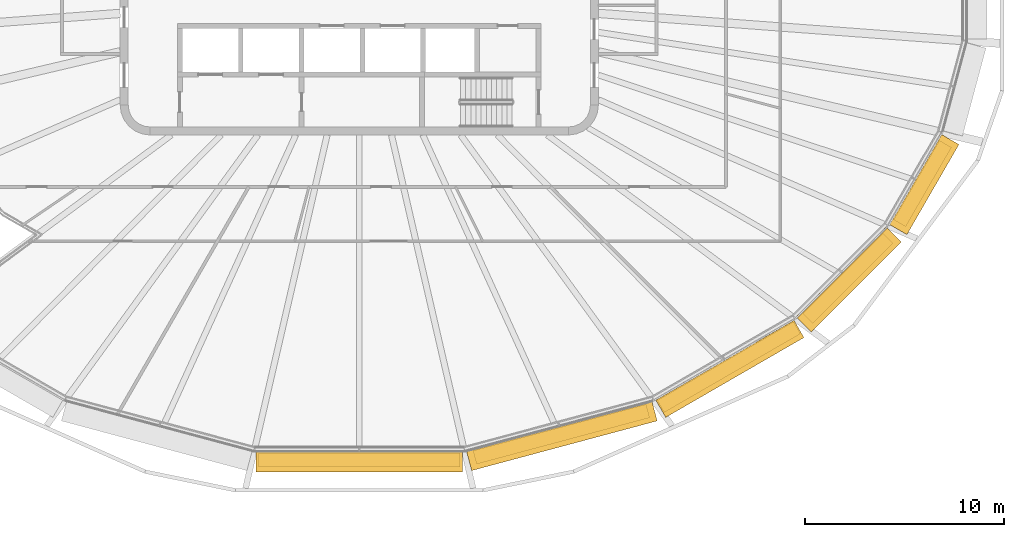
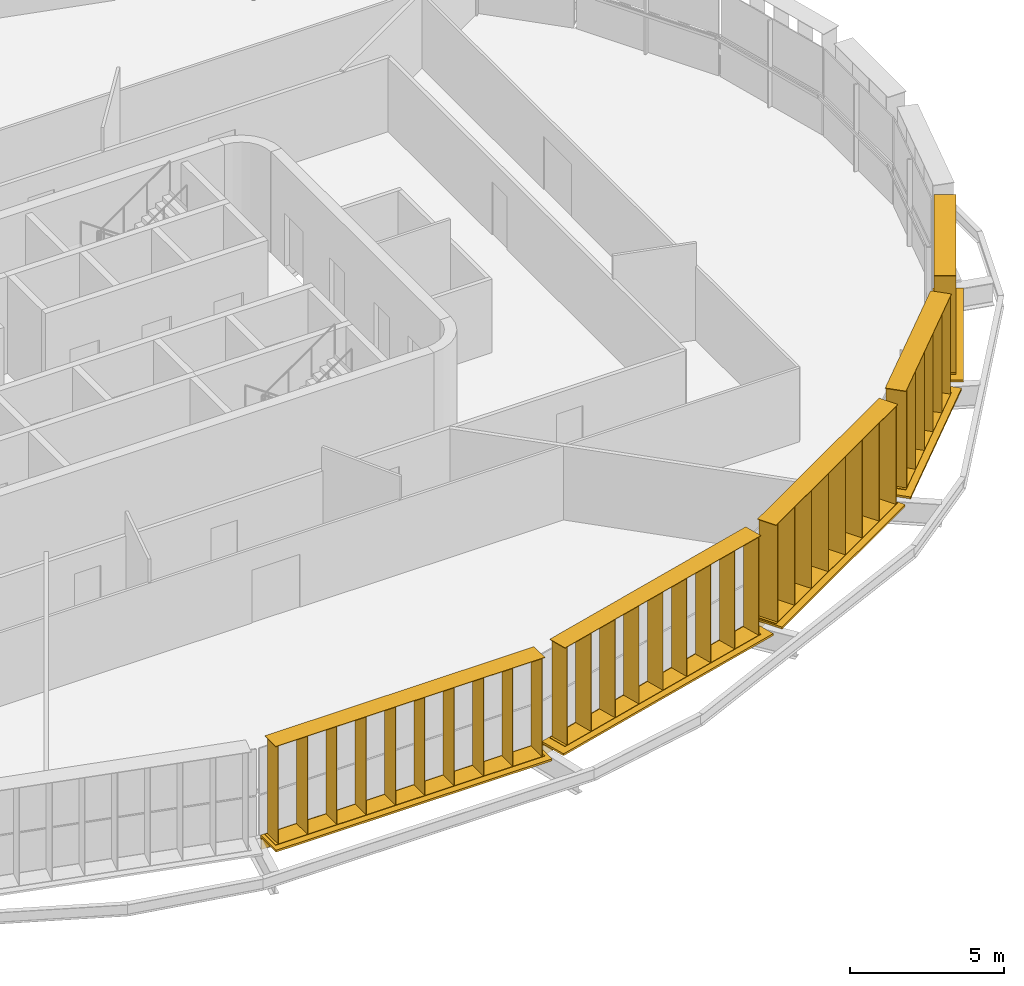
# One storey, part 17 of 19: 10 shading devices.
"""IFC4 building model written with IfcOpenShell, lengths in metres."""

import ifcopenshell
import ifcopenshell.guid

model = None  # the IFC model being written
_history = None  # IfcOwnerHistory: only IFC2X3 demands one
_inside = {}  # id of a spatial element -> (the spatial element, [elements in it])
_under = {}  # id of a project, library or spatial element -> (it, [spatial elements below it])
_declared = {}  # id of a project -> (the project, [libraries it declares])
_typed = {}  # id of a type object -> (the type object, [elements of that type])
_made_of = {}  # id of a material, layer set ... -> (it, [elements and type objects made of it])


def new_model(schema):
    """Start an empty IFC model of exactly this schema.

    Asked for "IFC4X3", IfcOpenShell would pick the latest addendum, in which some entities
    have other attributes; the version numbers below select the first issue.
    IFC2X3 requires an IfcOwnerHistory on every rooted entity: one is made here for all.
    """
    global model, _history
    if schema == "IFC4X3":
        model = ifcopenshell.file(schema_version=(4, 3, 0, 0))
    else:
        model = ifcopenshell.file(schema=schema)
    _inside.clear()
    _under.clear()
    _declared.clear()
    _typed.clear()
    _made_of.clear()
    _history = None
    if model.schema == "IFC2X3":
        org = make("IfcOrganization", Name="unknown")
        user = make(
            "IfcPersonAndOrganization",
            ThePerson=make("IfcPerson", FamilyName="unknown"),
            TheOrganization=org,
        )
        app = make(
            "IfcApplication",
            ApplicationDeveloper=org,
            Version="unknown",
            ApplicationFullName="unknown",
            ApplicationIdentifier="unknown",
        )
        _history = make(
            "IfcOwnerHistory",
            OwningUser=user,
            OwningApplication=app,
            ChangeAction="ADDED",
            CreationDate=0,
        )
    return model


def make(cls, **values):
    """One entity of the class cls with the attributes given. An attribute that is None is left unset."""
    return model.create_entity(
        cls, **{name: value for name, value in values.items() if value is not None}
    )


def rooted(cls, **values):
    """An entity with a GlobalId (a new one), such as an element, a storey or a relation."""
    return make(cls, GlobalId=ifcopenshell.guid.new(), OwnerHistory=_history, **values)


def si_unit(unit_type, name, prefix=None):
    """IfcSIUnit, for example si_unit("LENGTHUNIT", "METRE", prefix="MILLI")."""
    return make("IfcSIUnit", UnitType=unit_type, Prefix=prefix, Name=name)


def assignment(units):
    """IfcUnitAssignment: the units of a project."""
    return None if units is None else make("IfcUnitAssignment", Units=units)


def point(xyz):
    """IfcCartesianPoint."""
    return None if xyz is None else make("IfcCartesianPoint", Coordinates=xyz)


def direction(xyz):
    """IfcDirection."""
    return None if xyz is None else make("IfcDirection", DirectionRatios=xyz)


def frame(location, z_axis=None, x_axis=None):
    """IfcAxis2Placement3D, a coordinate frame: its origin and axes. An axis left out is left unset."""
    return make(
        "IfcAxis2Placement3D",
        Location=point(location),
        Axis=direction(z_axis),
        RefDirection=direction(x_axis),
    )


def frame_2d(location, x_axis=None):
    """IfcAxis2Placement2D, a coordinate frame in the plane: its origin and x axis."""
    return make(
        "IfcAxis2Placement2D", Location=point(location), RefDirection=direction(x_axis)
    )


def origin():
    """The frame at (0, 0, 0) with its axes left unset."""
    return frame((0.0, 0.0, 0.0))


def origin_2d():
    """The frame at (0, 0) in the plane with its x axis left unset."""
    return frame_2d((0.0, 0.0))


def place(relative_to, where):
    """IfcLocalPlacement: puts the frame where relative to a parent placement (None: the world)."""
    return make(
        "IfcLocalPlacement", PlacementRelTo=relative_to, RelativePlacement=where
    )


def context(
    kind, dimensions, precision=None, world=None, true_north=None, identifier=None
):
    """IfcGeometricRepresentationContext, for example the 3D "Model" context."""
    return make(
        "IfcGeometricRepresentationContext",
        ContextIdentifier=identifier,
        ContextType=kind,
        CoordinateSpaceDimension=dimensions,
        Precision=precision,
        WorldCoordinateSystem=world,
        TrueNorth=true_north,
    )


def subcontext(parent, identifier, kind, view, scale=None):
    """IfcGeometricRepresentationSubContext, for example "Body" below "Model"."""
    return make(
        "IfcGeometricRepresentationSubContext",
        ContextIdentifier=identifier,
        ContextType=kind,
        ParentContext=parent,
        TargetScale=scale,
        TargetView=view,
    )


def project(units=None, contexts=None):
    """IfcProject with its units and contexts."""
    return rooted(
        "IfcProject",
        Name="project",
        RepresentationContexts=contexts,
        UnitsInContext=assignment(units),
    )


def spatial(cls, under=None, at=None, **own):
    """A site, building, storey or space (cls), placed at a placement, below another one or the project."""
    s = rooted(cls, ObjectPlacement=at, **own)
    if under is not None:
        _under.setdefault(under.id(), (under, []))[1].append(s)
    return s


def profile(cls, at=None, kind="AREA", **sizes):
    """A parametric profile (cls). Its sizes go by their IFC names, for example OverallWidth=200.0."""
    return make(cls, ProfileType=kind, Position=at, **sizes)


def rectangle(**sizes):
    """IfcRectangleProfileDef."""
    return profile("IfcRectangleProfileDef", **sizes)


def extrude(swept, where, along, depth):
    """IfcExtrudedAreaSolid: the profile swept, set in the frame where, extruded along a direction by depth."""
    return make(
        "IfcExtrudedAreaSolid",
        SweptArea=swept,
        Position=where,
        ExtrudedDirection=direction(along),
        Depth=depth,
    )


def shape(context_of_items, identifier, shape_type, items):
    """IfcShapeRepresentation: the items that make up one representation, for example the "Body"."""
    return make(
        "IfcShapeRepresentation",
        ContextOfItems=context_of_items,
        RepresentationIdentifier=identifier,
        RepresentationType=shape_type,
        Items=items,
    )


def material(Name=None, Category=None):
    """IfcMaterial."""
    return make("IfcMaterial", Name=Name, Category=Category)


def made_of(thing, what):
    """Note that an element or type object is made of a material, layer set ...; save() writes the relation."""
    if what is not None:
        _made_of.setdefault(what.id(), (what, []))[1].append(thing)
    return thing


def type_object(cls, material=None, **own):
    """A type object (cls), such as IfcWallType, which elements share."""
    return made_of(rooted(cls, **own), material)


def element(
    cls,
    number,
    at=None,
    inside=None,
    cuts=None,
    type_object=None,
    material=None,
    context=None,
    identifier="Body",
    shape_type=None,
    held_by="IfcProductDefinitionShape",
    body=None,
    shapes=None,
    **own,
):
    """One element of the class cls, such as IfcWall. Its Tag is "e" and its number.

    at: its placement. inside: the storey or other place that contains it. cuts: it is an
    opening in that element (IfcRelVoidsElement). A single representation is given by context,
    identifier, shape_type and body (its items); several are given by shapes. held_by: the class
    of the entity that holds the representations. save() writes the other relations.
    """
    e = rooted(cls, Tag="e%d" % number, ObjectPlacement=at, **own)
    if body is not None:
        shapes = [shape(context, identifier, shape_type, body)]
    if shapes is not None:
        e.Representation = make(held_by, Representations=shapes)
    if inside is not None:
        _inside.setdefault(inside.id(), (inside, []))[1].append(e)
    if cuts is not None:
        rooted(
            "IfcRelVoidsElement", RelatingBuildingElement=cuts, RelatedOpeningElement=e
        )
    if type_object is not None:
        _typed.setdefault(type_object.id(), (type_object, []))[1].append(e)
    return made_of(e, material)


def aggregate(whole, parts):
    """IfcRelAggregates: a whole, such as a stair, and the parts it consists of."""
    return rooted("IfcRelAggregates", RelatingObject=whole, RelatedObjects=parts)


def save(model, path):
    """Write the relations noted so far, then the file.

    IfcRelAggregates (storeys below a building ...), IfcRelContainedInSpatialStructure (elements
    in a storey), IfcRelDefinesByType, IfcRelAssociatesMaterial and IfcRelDeclares: one each for
    every whole, place, type object, material and project.
    """
    for whole, parts in _under.values():
        aggregate(whole, parts)
    for where, things in _inside.values():
        rooted(
            "IfcRelContainedInSpatialStructure",
            RelatedElements=things,
            RelatingStructure=where,
        )
    for kind, things in _typed.values():
        rooted("IfcRelDefinesByType", RelatedObjects=things, RelatingType=kind)
    for what, things in _made_of.values():
        rooted("IfcRelAssociatesMaterial", RelatedObjects=things, RelatingMaterial=what)
    for by, libraries in _declared.values():
        rooted("IfcRelDeclares", RelatingContext=by, RelatedDefinitions=libraries)
    model.write(path)


model = new_model("IFC4")

# Units and contexts
model_context = context("Model", 3, precision=1e-05, world=origin(), true_north=direction((0.0, 1.0)))
body_context = subcontext(model_context, "Body", "Model", "MODEL_VIEW")
ifc_project = project(units=[si_unit("LENGTHUNIT", "METRE"), si_unit("AREAUNIT", "SQUARE_METRE"), si_unit("VOLUMEUNIT", "CUBIC_METRE"), si_unit("PLANEANGLEUNIT", "RADIAN"), si_unit("MASSUNIT", "GRAM", prefix="KILO")], contexts=[model_context])

# Site, building, storey
site_placement = place(None, origin())
site = spatial("IfcSite", under=ifc_project, at=site_placement, CompositionType="ELEMENT")
building_placement = place(site_placement, origin())
building = spatial("IfcBuilding", under=site, at=building_placement, Name="Sahrelin Media Tower", CompositionType="ELEMENT")
storey_placement = place(building_placement, frame((0.0, 0.0, 229.60009765625)))
storey = spatial("IfcBuildingStorey", under=building, at=storey_placement, Name="L49", CompositionType="ELEMENT", Elevation=229.60009765625)

# Shading devices
ifc_material = material(Name="Champagne anodised aluminium 6063-T6", Category="aluminium")
shading_device_type_1 = type_object("IfcShadingDeviceType", Name="Fin cassette", PredefinedType="USERDEFINED", material=ifc_material)
placement_1 = place(storey_placement, frame((0.0, -22.884033203125, 0.0), z_axis=(0.0, 0.0, 1.0), x_axis=(-1.0, 0.0, 0.0)))
element("IfcShadingDevice", 1, at=placement_1, inside=storey, type_object=shading_device_type_1, Name="L49:FIN:L49-18", ObjectType="FIN", PredefinedType="USERDEFINED", context=body_context, shape_type="SweptSolid", body=[
    extrude(rectangle(XDim=10.10009765625, YDim=0.699951171875, at=origin_2d()), frame((0.0, 0.419921875, 0.0)), (0.0, 0.0, 1.0), 0.02001953125),
    extrude(rectangle(XDim=10.10009765625, YDim=0.699951171875, at=origin_2d()), frame((0.0, 0.419921875, 3.89990234375)), (0.0, 0.0, 1.0), 0.02001953125),
    extrude(rectangle(XDim=0.02001953125, YDim=0.699951171875, at=origin_2d()), frame((-4.949951171875, 0.419921875, 0.010009765625), z_axis=(0.0, 0.0, 1.0), x_axis=(1.0, 0.0, 0.0)), (0.0, 0.0, 1.0), 3.89990234375),
    extrude(rectangle(XDim=0.02001953125, YDim=0.699951171875, at=origin_2d()), frame((-3.85009765625, 0.419921875, 0.010009765625), z_axis=(0.0, 0.0, 1.0), x_axis=(1.0, 0.0, 0.0)), (0.0, 0.0, 1.0), 3.89990234375),
    extrude(rectangle(XDim=0.02001953125, YDim=0.699951171875, at=origin_2d()), frame((-2.75, 0.419921875, 0.010009765625), z_axis=(0.0, 0.0, 1.0), x_axis=(1.0, 0.0, 0.0)), (0.0, 0.0, 1.0), 3.89990234375),
    extrude(rectangle(XDim=0.02001953125, YDim=0.699951171875, at=origin_2d()), frame((-1.64990234375, 0.419921875, 0.010009765625), z_axis=(0.0, 0.0, 1.0), x_axis=(1.0, 0.0, 0.0)), (0.0, 0.0, 1.0), 3.89990234375),
    extrude(rectangle(XDim=0.02001953125, YDim=0.699951171875, at=origin_2d()), frame((-0.550048828125, 0.419921875, 0.010009765625), z_axis=(0.0, 0.0, 1.0), x_axis=(1.0, 0.0, 0.0)), (0.0, 0.0, 1.0), 3.89990234375),
    extrude(rectangle(XDim=0.02001953125, YDim=0.699951171875, at=origin_2d()), frame((0.550048828125, 0.419921875, 0.010009765625), z_axis=(0.0, 0.0, 1.0), x_axis=(1.0, 0.0, 0.0)), (0.0, 0.0, 1.0), 3.89990234375),
    extrude(rectangle(XDim=0.02001953125, YDim=0.699951171875, at=origin_2d()), frame((1.64990234375, 0.419921875, 0.010009765625), z_axis=(0.0, 0.0, 1.0), x_axis=(1.0, 0.0, 0.0)), (0.0, 0.0, 1.0), 3.89990234375),
    extrude(rectangle(XDim=0.02001953125, YDim=0.699951171875, at=origin_2d()), frame((2.75, 0.419921875, 0.010009765625), z_axis=(0.0, 0.0, 1.0), x_axis=(1.0, 0.0, 0.0)), (0.0, 0.0, 1.0), 3.89990234375),
    extrude(rectangle(XDim=0.02001953125, YDim=0.699951171875, at=origin_2d()), frame((3.85009765625, 0.419921875, 0.010009765625), z_axis=(0.0, 0.0, 1.0), x_axis=(1.0, 0.0, 0.0)), (0.0, 0.0, 1.0), 3.89990234375),
    extrude(rectangle(XDim=0.02001953125, YDim=0.699951171875, at=origin_2d()), frame((4.949951171875, 0.419921875, 0.010009765625), z_axis=(0.0, 0.0, 1.0), x_axis=(1.0, 0.0, 0.0)), (0.0, 0.0, 1.0), 3.89990234375),
])
placement_2 = place(storey_placement, frame((10.031982421875, -21.611083984375, 0.0), z_axis=(0.0, 0.0, 1.0), x_axis=(-0.965928857556, -0.258807731996, 0.0)))
element("IfcShadingDevice", 2, at=placement_2, inside=storey, type_object=shading_device_type_1, Name="L49:FIN:L49-19", ObjectType="FIN", PredefinedType="USERDEFINED", context=body_context, shape_type="SweptSolid", body=[
    extrude(rectangle(XDim=9.0, YDim=0.699951171875, at=origin_2d()), frame((0.0, 0.419921875, 0.0)), (0.0, 0.0, 1.0), 0.02001953125),
    extrude(rectangle(XDim=9.0, YDim=0.699951171875, at=origin_2d()), frame((0.0, 0.419921875, 3.89990234375)), (0.0, 0.0, 1.0), 0.02001953125),
    extrude(rectangle(XDim=0.02001953125, YDim=0.699951171875, at=origin_2d()), frame((-4.39990234375, 0.419921875, 0.010009765625), z_axis=(0.0, 0.0, 1.0), x_axis=(1.0, 0.0, 0.0)), (0.0, 0.0, 1.0), 3.89990234375),
    extrude(rectangle(XDim=0.02001953125, YDim=0.699951171875, at=origin_2d()), frame((-3.300048828125, 0.419921875, 0.010009765625), z_axis=(0.0, 0.0, 1.0), x_axis=(1.0, 0.0, 0.0)), (0.0, 0.0, 1.0), 3.89990234375),
    extrude(rectangle(XDim=0.02001953125, YDim=0.699951171875, at=origin_2d()), frame((-2.199951171875, 0.419921875, 0.010009765625), z_axis=(0.0, 0.0, 1.0), x_axis=(1.0, 0.0, 0.0)), (0.0, 0.0, 1.0), 3.89990234375),
    extrude(rectangle(XDim=0.02001953125, YDim=0.699951171875, at=origin_2d()), frame((-1.10009765625, 0.419921875, 0.010009765625), z_axis=(0.0, 0.0, 1.0), x_axis=(1.0, 0.0, 0.0)), (0.0, 0.0, 1.0), 3.89990234375),
    extrude(rectangle(XDim=0.02001953125, YDim=0.699951171875, at=origin_2d()), frame((0.0, 0.419921875, 0.010009765625), z_axis=(0.0, 0.0, 1.0), x_axis=(1.0, 0.0, 0.0)), (0.0, 0.0, 1.0), 3.89990234375),
    extrude(rectangle(XDim=0.02001953125, YDim=0.699951171875, at=origin_2d()), frame((1.10009765625, 0.419921875, 0.010009765625), z_axis=(0.0, 0.0, 1.0), x_axis=(1.0, 0.0, 0.0)), (0.0, 0.0, 1.0), 3.89990234375),
    extrude(rectangle(XDim=0.02001953125, YDim=0.699951171875, at=origin_2d()), frame((2.199951171875, 0.419921875, 0.010009765625), z_axis=(0.0, 0.0, 1.0), x_axis=(1.0, 0.0, 0.0)), (0.0, 0.0, 1.0), 3.89990234375),
    extrude(rectangle(XDim=0.02001953125, YDim=0.699951171875, at=origin_2d()), frame((3.300048828125, 0.419921875, 0.010009765625), z_axis=(0.0, 0.0, 1.0), x_axis=(1.0, 0.0, 0.0)), (0.0, 0.0, 1.0), 3.89990234375),
    extrude(rectangle(XDim=0.02001953125, YDim=0.699951171875, at=origin_2d()), frame((4.39990234375, 0.419921875, 0.010009765625), z_axis=(0.0, 0.0, 1.0), x_axis=(1.0, 0.0, 0.0)), (0.0, 0.0, 1.0), 3.89990234375),
])
placement_3 = place(storey_placement, frame((18.337646484375, -18.285400390625, 0.0), z_axis=(0.0, 0.0, 1.0), x_axis=(-0.866019052629, -0.500011000363, 0.0)))
element("IfcShadingDevice", 3, at=placement_3, inside=storey, type_object=shading_device_type_1, Name="L49:FIN:L49-20", ObjectType="FIN", PredefinedType="USERDEFINED", context=body_context, shape_type="SweptSolid", body=[
    extrude(rectangle(XDim=7.89990234375, YDim=0.699951171875, at=origin_2d()), frame((0.0, 0.419921875, 0.0)), (0.0, 0.0, 1.0), 0.02001953125),
    extrude(rectangle(XDim=7.89990234375, YDim=0.699951171875, at=origin_2d()), frame((0.0, 0.419921875, 3.89990234375)), (0.0, 0.0, 1.0), 0.02001953125),
    extrude(rectangle(XDim=0.02001953125, YDim=0.699951171875, at=origin_2d()), frame((-3.85009765625, 0.419921875, 0.010009765625), z_axis=(0.0, 0.0, 1.0), x_axis=(1.0, 0.0, 0.0)), (0.0, 0.0, 1.0), 3.89990234375),
    extrude(rectangle(XDim=0.02001953125, YDim=0.699951171875, at=origin_2d()), frame((-2.75, 0.419921875, 0.010009765625), z_axis=(0.0, 0.0, 1.0), x_axis=(1.0, 0.0, 0.0)), (0.0, 0.0, 1.0), 3.89990234375),
    extrude(rectangle(XDim=0.02001953125, YDim=0.699951171875, at=origin_2d()), frame((-1.64990234375, 0.419921875, 0.010009765625), z_axis=(0.0, 0.0, 1.0), x_axis=(1.0, 0.0, 0.0)), (0.0, 0.0, 1.0), 3.89990234375),
    extrude(rectangle(XDim=0.02001953125, YDim=0.699951171875, at=origin_2d()), frame((-0.550048828125, 0.419921875, 0.010009765625), z_axis=(0.0, 0.0, 1.0), x_axis=(1.0, 0.0, 0.0)), (0.0, 0.0, 1.0), 3.89990234375),
    extrude(rectangle(XDim=0.02001953125, YDim=0.699951171875, at=origin_2d()), frame((0.550048828125, 0.419921875, 0.010009765625), z_axis=(0.0, 0.0, 1.0), x_axis=(1.0, 0.0, 0.0)), (0.0, 0.0, 1.0), 3.89990234375),
    extrude(rectangle(XDim=0.02001953125, YDim=0.699951171875, at=origin_2d()), frame((1.64990234375, 0.419921875, 0.010009765625), z_axis=(0.0, 0.0, 1.0), x_axis=(1.0, 0.0, 0.0)), (0.0, 0.0, 1.0), 3.89990234375),
    extrude(rectangle(XDim=0.02001953125, YDim=0.699951171875, at=origin_2d()), frame((2.75, 0.419921875, 0.010009765625), z_axis=(0.0, 0.0, 1.0), x_axis=(1.0, 0.0, 0.0)), (0.0, 0.0, 1.0), 3.89990234375),
    extrude(rectangle(XDim=0.02001953125, YDim=0.699951171875, at=origin_2d()), frame((3.85009765625, 0.419921875, 0.010009765625), z_axis=(0.0, 0.0, 1.0), x_axis=(1.0, 0.0, 0.0)), (0.0, 0.0, 1.0), 3.89990234375),
])
placement_4 = place(storey_placement, frame((24.22119140625, -13.904296875, 0.0), z_axis=(0.0, 0.0, 1.0), x_axis=(-0.707106781187, -0.707106781187, 0.0)))
element("IfcShadingDevice", 4, at=placement_4, inside=storey, type_object=shading_device_type_1, Name="L49:FIN:L49-21", ObjectType="FIN", PredefinedType="USERDEFINED", context=body_context, shape_type="SweptSolid", body=[
    extrude(rectangle(XDim=5.699951171875, YDim=0.699951171875, at=origin_2d()), frame((0.0, 0.419921875, 0.0)), (0.0, 0.0, 1.0), 0.02001953125),
    extrude(rectangle(XDim=5.699951171875, YDim=0.699951171875, at=origin_2d()), frame((0.0, 0.419921875, 3.89990234375)), (0.0, 0.0, 1.0), 0.02001953125),
    extrude(rectangle(XDim=0.02001953125, YDim=0.699951171875, at=origin_2d()), frame((-2.75, 0.419921875, 0.010009765625), z_axis=(0.0, 0.0, 1.0), x_axis=(1.0, 0.0, 0.0)), (0.0, 0.0, 1.0), 3.89990234375),
    extrude(rectangle(XDim=0.02001953125, YDim=0.699951171875, at=origin_2d()), frame((-1.64990234375, 0.419921875, 0.010009765625), z_axis=(0.0, 0.0, 1.0), x_axis=(1.0, 0.0, 0.0)), (0.0, 0.0, 1.0), 3.89990234375),
    extrude(rectangle(XDim=0.02001953125, YDim=0.699951171875, at=origin_2d()), frame((-0.550048828125, 0.419921875, 0.010009765625), z_axis=(0.0, 0.0, 1.0), x_axis=(1.0, 0.0, 0.0)), (0.0, 0.0, 1.0), 3.89990234375),
    extrude(rectangle(XDim=0.02001953125, YDim=0.699951171875, at=origin_2d()), frame((0.550048828125, 0.419921875, 0.010009765625), z_axis=(0.0, 0.0, 1.0), x_axis=(1.0, 0.0, 0.0)), (0.0, 0.0, 1.0), 3.89990234375),
    extrude(rectangle(XDim=0.02001953125, YDim=0.699951171875, at=origin_2d()), frame((1.64990234375, 0.419921875, 0.010009765625), z_axis=(0.0, 0.0, 1.0), x_axis=(1.0, 0.0, 0.0)), (0.0, 0.0, 1.0), 3.89990234375),
    extrude(rectangle(XDim=0.02001953125, YDim=0.699951171875, at=origin_2d()), frame((2.75, 0.419921875, 0.010009765625), z_axis=(0.0, 0.0, 1.0), x_axis=(1.0, 0.0, 0.0)), (0.0, 0.0, 1.0), 3.89990234375),
])
placement_5 = place(storey_placement, frame((27.905517578125, -9.227783203125, 0.0), z_axis=(0.0, 0.0, 1.0), x_axis=(-0.500011000363, -0.866019052629, 0.0)))
element("IfcShadingDevice", 5, at=placement_5, inside=storey, type_object=shading_device_type_1, Name="L49:FIN:L49-22", ObjectType="FIN", PredefinedType="USERDEFINED", context=body_context, shape_type="SweptSolid", body=[
    extrude(rectangle(XDim=4.60009765625, YDim=0.699951171875, at=origin_2d()), frame((0.0, 0.419921875, 0.0)), (0.0, 0.0, 1.0), 0.02001953125),
    extrude(rectangle(XDim=4.60009765625, YDim=0.699951171875, at=origin_2d()), frame((0.0, 0.419921875, 3.89990234375)), (0.0, 0.0, 1.0), 0.02001953125),
    extrude(rectangle(XDim=0.02001953125, YDim=0.699951171875, at=origin_2d()), frame((-2.199951171875, 0.419921875, 0.010009765625), z_axis=(0.0, 0.0, 1.0), x_axis=(1.0, 0.0, 0.0)), (0.0, 0.0, 1.0), 3.89990234375),
    extrude(rectangle(XDim=0.02001953125, YDim=0.699951171875, at=origin_2d()), frame((-1.10009765625, 0.419921875, 0.010009765625), z_axis=(0.0, 0.0, 1.0), x_axis=(1.0, 0.0, 0.0)), (0.0, 0.0, 1.0), 3.89990234375),
    extrude(rectangle(XDim=0.02001953125, YDim=0.699951171875, at=origin_2d()), frame((0.0, 0.419921875, 0.010009765625), z_axis=(0.0, 0.0, 1.0), x_axis=(1.0, 0.0, 0.0)), (0.0, 0.0, 1.0), 3.89990234375),
    extrude(rectangle(XDim=0.02001953125, YDim=0.699951171875, at=origin_2d()), frame((1.10009765625, 0.419921875, 0.010009765625), z_axis=(0.0, 0.0, 1.0), x_axis=(1.0, 0.0, 0.0)), (0.0, 0.0, 1.0), 3.89990234375),
    extrude(rectangle(XDim=0.02001953125, YDim=0.699951171875, at=origin_2d()), frame((2.199951171875, 0.419921875, 0.010009765625), z_axis=(0.0, 0.0, 1.0), x_axis=(1.0, 0.0, 0.0)), (0.0, 0.0, 1.0), 3.89990234375),
])
shading_device_type_2 = type_object("IfcShadingDeviceType", Name="Sunshade band", PredefinedType="USERDEFINED", material=ifc_material)
element("IfcShadingDevice", 6, at=placement_1, inside=storey, type_object=shading_device_type_2, Name="L49:SUN:L49-18", ObjectType="SUNSHADE", PredefinedType="USERDEFINED", context=body_context, shape_type="SweptSolid", body=[
    extrude(rectangle(XDim=10.361572265625, YDim=0.050048828125, at=origin_2d()), frame((0.0, 0.044921875, -0.55126953125)), (0.0, 0.0, 1.0), 0.471435546875),
    extrude(rectangle(XDim=10.361572265625, YDim=1.0, at=origin_2d()), frame((0.0, 0.52001953125, -0.080078125)), (0.0, 0.0, 1.0), 0.080078125),
    extrude(rectangle(XDim=0.10009765625, YDim=0.074951171875, at=origin_2d()), frame((-5.080810546875, -0.017578125, -0.47021484375)), (0.0, 0.0, 1.0), 0.300048828125),
    extrude(rectangle(XDim=0.10009765625, YDim=0.074951171875, at=origin_2d()), frame((-3.38720703125, -0.017578125, -0.47021484375)), (0.0, 0.0, 1.0), 0.300048828125),
    extrude(rectangle(XDim=0.10009765625, YDim=0.074951171875, at=origin_2d()), frame((-1.693603515625, -0.017578125, -0.47021484375)), (0.0, 0.0, 1.0), 0.300048828125),
    extrude(rectangle(XDim=0.10009765625, YDim=0.074951171875, at=origin_2d()), frame((0.0, -0.017578125, -0.47021484375)), (0.0, 0.0, 1.0), 0.300048828125),
    extrude(rectangle(XDim=0.10009765625, YDim=0.074951171875, at=origin_2d()), frame((1.693603515625, -0.017578125, -0.47021484375)), (0.0, 0.0, 1.0), 0.300048828125),
    extrude(rectangle(XDim=0.10009765625, YDim=0.074951171875, at=origin_2d()), frame((3.38720703125, -0.017578125, -0.47021484375)), (0.0, 0.0, 1.0), 0.300048828125),
    extrude(rectangle(XDim=0.10009765625, YDim=0.074951171875, at=origin_2d()), frame((5.080810546875, -0.017578125, -0.47021484375)), (0.0, 0.0, 1.0), 0.300048828125),
])
element("IfcShadingDevice", 7, at=placement_2, inside=storey, type_object=shading_device_type_2, Name="L49:SUN:L49-19", ObjectType="SUNSHADE", PredefinedType="USERDEFINED", context=body_context, shape_type="SweptSolid", body=[
    extrude(rectangle(XDim=9.637451171875, YDim=0.050048828125, at=origin_2d()), frame((0.0, 0.044921875, -0.55126953125)), (0.0, 0.0, 1.0), 0.471435546875),
    extrude(rectangle(XDim=9.637451171875, YDim=1.0, at=origin_2d()), frame((0.0, 0.52001953125, -0.080078125)), (0.0, 0.0, 1.0), 0.080078125),
    extrude(rectangle(XDim=0.10009765625, YDim=0.074951171875, at=origin_2d()), frame((-4.71875, -0.017578125, -0.47021484375)), (0.0, 0.0, 1.0), 0.300048828125),
    extrude(rectangle(XDim=0.10009765625, YDim=0.074951171875, at=origin_2d()), frame((-2.831298828125, -0.017578125, -0.47021484375)), (0.0, 0.0, 1.0), 0.300048828125),
    extrude(rectangle(XDim=0.10009765625, YDim=0.074951171875, at=origin_2d()), frame((-0.943603515625, -0.017578125, -0.47021484375)), (0.0, 0.0, 1.0), 0.300048828125),
    extrude(rectangle(XDim=0.10009765625, YDim=0.074951171875, at=origin_2d()), frame((0.943603515625, -0.017578125, -0.47021484375)), (0.0, 0.0, 1.0), 0.300048828125),
    extrude(rectangle(XDim=0.10009765625, YDim=0.074951171875, at=origin_2d()), frame((2.831298828125, -0.017578125, -0.47021484375)), (0.0, 0.0, 1.0), 0.300048828125),
    extrude(rectangle(XDim=0.10009765625, YDim=0.074951171875, at=origin_2d()), frame((4.71875, -0.017578125, -0.47021484375)), (0.0, 0.0, 1.0), 0.300048828125),
])
element("IfcShadingDevice", 8, at=placement_3, inside=storey, type_object=shading_device_type_2, Name="L49:SUN:L49-20", ObjectType="SUNSHADE", PredefinedType="USERDEFINED", context=body_context, shape_type="SweptSolid", body=[
    extrude(rectangle(XDim=8.009521484375, YDim=0.050048828125, at=origin_2d()), frame((0.0, 0.044921875, -0.55126953125)), (0.0, 0.0, 1.0), 0.471435546875),
    extrude(rectangle(XDim=8.009521484375, YDim=1.0, at=origin_2d()), frame((0.0, 0.52001953125, -0.080078125)), (0.0, 0.0, 1.0), 0.080078125),
    extrude(rectangle(XDim=0.10009765625, YDim=0.074951171875, at=origin_2d()), frame((-3.90478515625, -0.017578125, -0.47021484375)), (0.0, 0.0, 1.0), 0.300048828125),
    extrude(rectangle(XDim=0.10009765625, YDim=0.074951171875, at=origin_2d()), frame((-2.3427734375, -0.017578125, -0.47021484375)), (0.0, 0.0, 1.0), 0.300048828125),
    extrude(rectangle(XDim=0.10009765625, YDim=0.074951171875, at=origin_2d()), frame((-0.781005859375, -0.017578125, -0.47021484375)), (0.0, 0.0, 1.0), 0.300048828125),
    extrude(rectangle(XDim=0.10009765625, YDim=0.074951171875, at=origin_2d()), frame((0.781005859375, -0.017578125, -0.47021484375)), (0.0, 0.0, 1.0), 0.300048828125),
    extrude(rectangle(XDim=0.10009765625, YDim=0.074951171875, at=origin_2d()), frame((2.3427734375, -0.017578125, -0.47021484375)), (0.0, 0.0, 1.0), 0.300048828125),
    extrude(rectangle(XDim=0.10009765625, YDim=0.074951171875, at=origin_2d()), frame((3.90478515625, -0.017578125, -0.47021484375)), (0.0, 0.0, 1.0), 0.300048828125),
])
element("IfcShadingDevice", 9, at=placement_4, inside=storey, type_object=shading_device_type_2, Name="L49:SUN:L49-21", ObjectType="SUNSHADE", PredefinedType="USERDEFINED", context=body_context, shape_type="SweptSolid", body=[
    extrude(rectangle(XDim=6.38671875, YDim=0.050048828125, at=origin_2d()), frame((0.0, 0.044921875, -0.55126953125)), (0.0, 0.0, 1.0), 0.471435546875),
    extrude(rectangle(XDim=6.38671875, YDim=1.0, at=origin_2d()), frame((0.0, 0.52001953125, -0.080078125)), (0.0, 0.0, 1.0), 0.080078125),
    extrude(rectangle(XDim=0.10009765625, YDim=0.074951171875, at=origin_2d()), frame((-3.093505859375, -0.017578125, -0.47021484375)), (0.0, 0.0, 1.0), 0.300048828125),
    extrude(rectangle(XDim=0.10009765625, YDim=0.074951171875, at=origin_2d()), frame((-1.546630859375, -0.017578125, -0.47021484375)), (0.0, 0.0, 1.0), 0.300048828125),
    extrude(rectangle(XDim=0.10009765625, YDim=0.074951171875, at=origin_2d()), frame((0.0, -0.017578125, -0.47021484375)), (0.0, 0.0, 1.0), 0.300048828125),
    extrude(rectangle(XDim=0.10009765625, YDim=0.074951171875, at=origin_2d()), frame((1.546630859375, -0.017578125, -0.47021484375)), (0.0, 0.0, 1.0), 0.300048828125),
    extrude(rectangle(XDim=0.10009765625, YDim=0.074951171875, at=origin_2d()), frame((3.093505859375, -0.017578125, -0.47021484375)), (0.0, 0.0, 1.0), 0.300048828125),
])
element("IfcShadingDevice", 10, at=placement_5, inside=storey, type_object=shading_device_type_2, Name="L49:SUN:L49-22", ObjectType="SUNSHADE", PredefinedType="USERDEFINED", context=body_context, shape_type="SweptSolid", body=[
    extrude(rectangle(XDim=5.2216796875, YDim=0.050048828125, at=origin_2d()), frame((0.0, 0.044921875, -0.55126953125)), (0.0, 0.0, 1.0), 0.471435546875),
    extrude(rectangle(XDim=5.2216796875, YDim=1.0, at=origin_2d()), frame((0.0, 0.52001953125, -0.080078125)), (0.0, 0.0, 1.0), 0.080078125),
    extrude(rectangle(XDim=0.10009765625, YDim=0.074951171875, at=origin_2d()), frame((-2.5107421875, -0.017578125, -0.47021484375)), (0.0, 0.0, 1.0), 0.300048828125),
    extrude(rectangle(XDim=0.10009765625, YDim=0.074951171875, at=origin_2d()), frame((-0.8369140625, -0.017578125, -0.47021484375)), (0.0, 0.0, 1.0), 0.300048828125),
    extrude(rectangle(XDim=0.10009765625, YDim=0.074951171875, at=origin_2d()), frame((0.8369140625, -0.017578125, -0.47021484375)), (0.0, 0.0, 1.0), 0.300048828125),
    extrude(rectangle(XDim=0.10009765625, YDim=0.074951171875, at=origin_2d()), frame((2.5107421875, -0.017578125, -0.47021484375)), (0.0, 0.0, 1.0), 0.300048828125),
])

save(model, "model.ifc")
